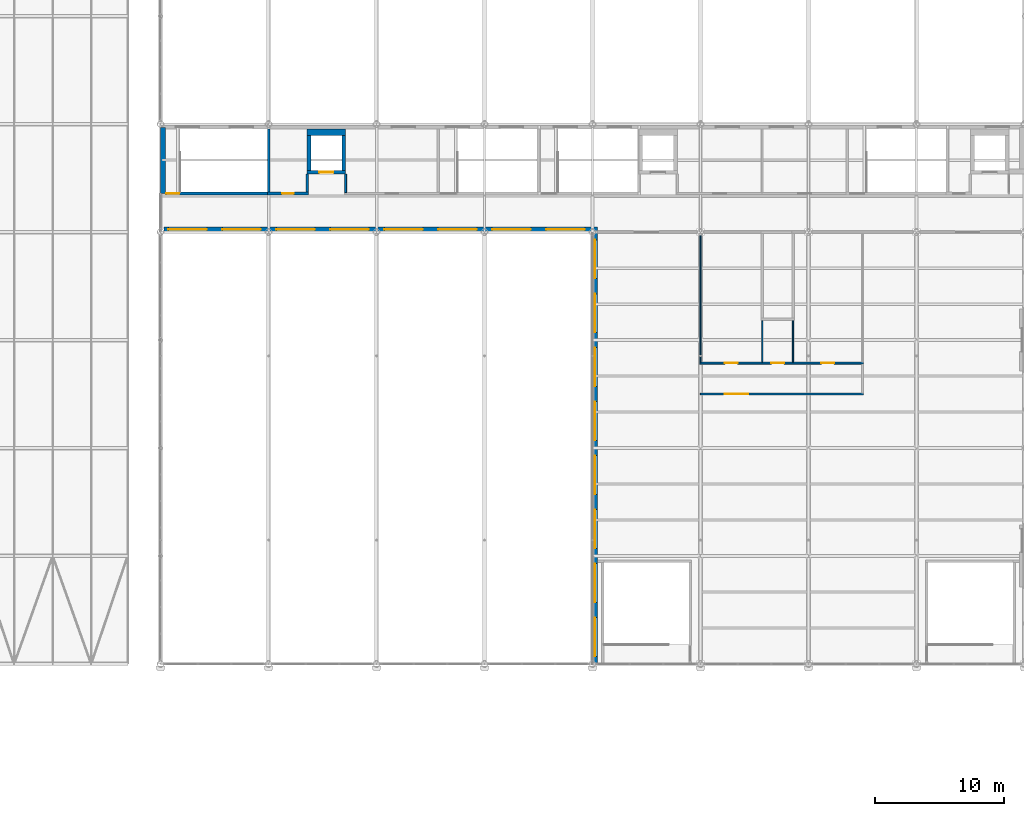
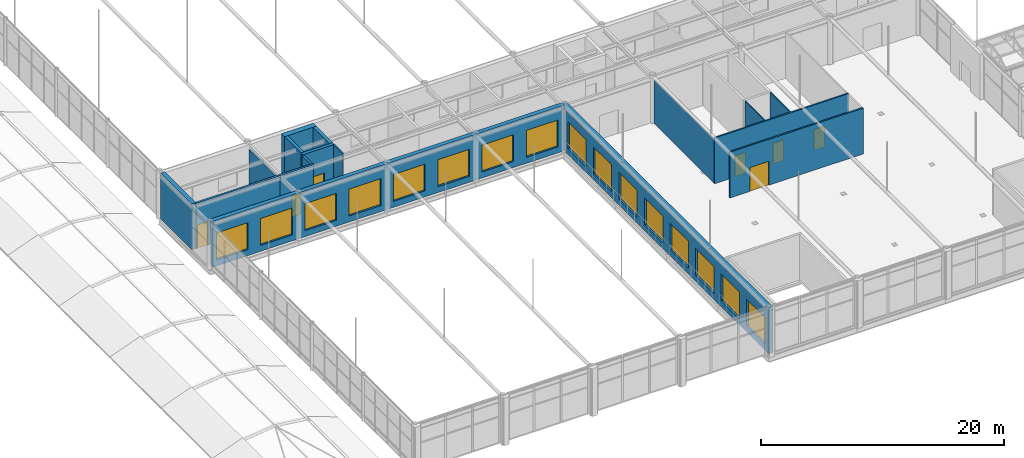
# One storey, part 151 of 167: 17 walls, 16 windows, 7 doors, 23 openings.
"""IFC4 building model written with IfcOpenShell, lengths in metres."""

from ifc_helpers import new_model, si_unit, direction, frame, frame_2d, origin, place, context, subcontext, project, spatial, rectangle, extrude, material, layer, layer_set, type_object, element, fill, save


model = new_model("IFC4")

# Units and contexts
model_context = context("Model", 3, precision=1e-05, world=origin(), true_north=direction((0.0, 1.0)))
body_context = subcontext(model_context, "Body", "Model", "MODEL_VIEW")
ifc_project = project(units=[si_unit("LENGTHUNIT", "METRE"), si_unit("AREAUNIT", "SQUARE_METRE"), si_unit("VOLUMEUNIT", "CUBIC_METRE"), si_unit("PLANEANGLEUNIT", "RADIAN"), si_unit("MASSUNIT", "GRAM", prefix="KILO")], contexts=[model_context])

# Site, building, storey
site_placement = place(None, origin())
site = spatial("IfcSite", under=ifc_project, at=site_placement, CompositionType="ELEMENT")
building_placement = place(site_placement, origin())
building = spatial("IfcBuilding", under=site, at=building_placement, Name="Catenary Quay Ferry Terminal", CompositionType="ELEMENT")
storey_placement = place(building_placement, frame((0.0, 0.0, 6.0)))
storey = spatial("IfcBuildingStorey", under=building, at=storey_placement, Name="L01", CompositionType="ELEMENT", Elevation=6.0)

# Wall, openings, windows
ifc_material_1 = material(Name="Masonry and insulation", Category="masonry")
ifc_layer_1 = layer(ifc_material_1, 0.39990234375)
ifc_layer_set_1 = layer_set([ifc_layer_1], Name="EW2")
wall_type_1 = type_object("IfcWallType", Name="EW2", PredefinedType="SOLIDWALL", material=ifc_layer_set_1)
wall_1_placement = place(storey_placement, frame((25.4541015625, 101.0, 0.0), z_axis=(0.0, 0.0, 1.0), x_axis=(1.0, 0.0, 0.0)))
wall_1 = element("IfcWall", 1, at=wall_1_placement, inside=storey, type_object=wall_type_1, Name="P23 wall WL178", PredefinedType="SOLIDWALL", context=body_context, shape_type="SweptSolid", body=[
    extrude(rectangle(XDim=33.345947265625, YDim=0.39990234375, at=frame_2d((16.6728515625, 0.0))), origin(), (0.0, 0.0, 1.0), 4.60009765625),
])
opening_1_placement = place(wall_1_placement, frame((0.345947265625, 0.0, 0.60009765625)))
opening_1 = element("IfcOpeningElement", 2, at=opening_1_placement, cuts=wall_1, Name="Opening W11", PredefinedType="OPENING", context=body_context, shape_type="SweptSolid", body=[
    extrude(rectangle(XDim=3.0, YDim=2.699951171875, at=frame_2d((1.5, 1.35009765625))), frame((0.0, 0.2099609375, 0.0), z_axis=(0.0, -1.0, 0.0), x_axis=(1.0, 0.0, 0.0)), (0.0, 0.0, 1.0), 0.419921875),
])
opening_2_placement = place(wall_1_placement, frame((4.5458984375, 0.0, 0.60009765625)))
opening_2 = element("IfcOpeningElement", 3, at=opening_2_placement, cuts=wall_1, Name="Opening W12", PredefinedType="OPENING", context=body_context, shape_type="SweptSolid", body=[
    extrude(rectangle(XDim=3.0, YDim=2.699951171875, at=frame_2d((1.5, 1.35009765625))), frame((0.0, 0.2099609375, 0.0), z_axis=(0.0, -1.0, 0.0), x_axis=(1.0, 0.0, 0.0)), (0.0, 0.0, 1.0), 0.419921875),
])
opening_3_placement = place(wall_1_placement, frame((8.74609375, 0.0, 0.60009765625)))
opening_3 = element("IfcOpeningElement", 4, at=opening_3_placement, cuts=wall_1, Name="Opening W13", PredefinedType="OPENING", context=body_context, shape_type="SweptSolid", body=[
    extrude(rectangle(XDim=3.0, YDim=2.699951171875, at=frame_2d((1.5, 1.35009765625))), frame((0.0, 0.2099609375, 0.0), z_axis=(0.0, -1.0, 0.0), x_axis=(1.0, 0.0, 0.0)), (0.0, 0.0, 1.0), 0.419921875),
])
opening_4_placement = place(wall_1_placement, frame((12.946044921875, 0.0, 0.60009765625)))
opening_4 = element("IfcOpeningElement", 5, at=opening_4_placement, cuts=wall_1, Name="Opening W14", PredefinedType="OPENING", context=body_context, shape_type="SweptSolid", body=[
    extrude(rectangle(XDim=3.0, YDim=2.699951171875, at=frame_2d((1.5, 1.35009765625))), frame((0.0, 0.2099609375, 0.0), z_axis=(0.0, -1.0, 0.0), x_axis=(1.0, 0.0, 0.0)), (0.0, 0.0, 1.0), 0.419921875),
])
opening_5_placement = place(wall_1_placement, frame((17.14599609375, 0.0, 0.60009765625)))
opening_5 = element("IfcOpeningElement", 6, at=opening_5_placement, cuts=wall_1, Name="Opening W15", PredefinedType="OPENING", context=body_context, shape_type="SweptSolid", body=[
    extrude(rectangle(XDim=3.0, YDim=2.699951171875, at=frame_2d((1.5, 1.35009765625))), frame((0.0, 0.2099609375, 0.0), z_axis=(0.0, -1.0, 0.0), x_axis=(1.0, 0.0, 0.0)), (0.0, 0.0, 1.0), 0.419921875),
])
opening_6_placement = place(wall_1_placement, frame((21.345947265625, 0.0, 0.60009765625)))
opening_6 = element("IfcOpeningElement", 7, at=opening_6_placement, cuts=wall_1, Name="Opening W16", PredefinedType="OPENING", context=body_context, shape_type="SweptSolid", body=[
    extrude(rectangle(XDim=3.0, YDim=2.699951171875, at=frame_2d((1.5, 1.35009765625))), frame((0.0, 0.2099609375, 0.0), z_axis=(0.0, -1.0, 0.0), x_axis=(1.0, 0.0, 0.0)), (0.0, 0.0, 1.0), 0.419921875),
])
opening_7_placement = place(wall_1_placement, frame((25.5458984375, 0.0, 0.60009765625)))
opening_7 = element("IfcOpeningElement", 8, at=opening_7_placement, cuts=wall_1, Name="Opening W17", PredefinedType="OPENING", context=body_context, shape_type="SweptSolid", body=[
    extrude(rectangle(XDim=3.0, YDim=2.699951171875, at=frame_2d((1.5, 1.35009765625))), frame((0.0, 0.2099609375, 0.0), z_axis=(0.0, -1.0, 0.0), x_axis=(1.0, 0.0, 0.0)), (0.0, 0.0, 1.0), 0.419921875),
])
opening_8_placement = place(wall_1_placement, frame((29.74609375, 0.0, 0.60009765625)))
opening_8 = element("IfcOpeningElement", 9, at=opening_8_placement, cuts=wall_1, Name="Opening W18", PredefinedType="OPENING", context=body_context, shape_type="SweptSolid", body=[
    extrude(rectangle(XDim=3.0, YDim=2.699951171875, at=frame_2d((1.5, 1.35009765625))), frame((0.0, 0.2099609375, 0.0), z_axis=(0.0, -1.0, 0.0), x_axis=(1.0, 0.0, 0.0)), (0.0, 0.0, 1.0), 0.419921875),
])
ifc_material_2 = material(Name="Aluminium and glass", Category="aluminium")
window_type = type_object("IfcWindowType", Name="WP1", PartitioningType="SINGLE_PANEL", PredefinedType="WINDOW", material=ifc_material_2)
window_1_placement = place(opening_1_placement, origin())
window_1 = element("IfcWindow", 10, at=window_1_placement, inside=storey, type_object=window_type, Name="P23 window W11", OverallHeight=2.699951171875, OverallWidth=3.0, PartitioningType="SINGLE_PANEL", PredefinedType="WINDOW", context=body_context, shape_type="SweptSolid", body=[
    extrude(rectangle(XDim=3.0, YDim=2.699951171875, at=frame_2d((1.5, 1.35009765625))), frame((0.0, 0.030029296875, 0.0), z_axis=(0.0, -1.0, 0.0), x_axis=(1.0, 0.0, 0.0)), (0.0, 0.0, 1.0), 0.06005859375),
])
fill(opening_1, window_1)
window_2_placement = place(opening_2_placement, origin())
window_2 = element("IfcWindow", 11, at=window_2_placement, inside=storey, type_object=window_type, Name="P23 window W12", OverallHeight=2.699951171875, OverallWidth=3.0, PartitioningType="SINGLE_PANEL", PredefinedType="WINDOW", context=body_context, shape_type="SweptSolid", body=[
    extrude(rectangle(XDim=3.0, YDim=2.699951171875, at=frame_2d((1.5, 1.35009765625))), frame((0.0, 0.030029296875, 0.0), z_axis=(0.0, -1.0, 0.0), x_axis=(1.0, 0.0, 0.0)), (0.0, 0.0, 1.0), 0.06005859375),
])
fill(opening_2, window_2)
window_3_placement = place(opening_3_placement, origin())
window_3 = element("IfcWindow", 12, at=window_3_placement, inside=storey, type_object=window_type, Name="P23 window W13", OverallHeight=2.699951171875, OverallWidth=3.0, PartitioningType="SINGLE_PANEL", PredefinedType="WINDOW", context=body_context, shape_type="SweptSolid", body=[
    extrude(rectangle(XDim=3.0, YDim=2.699951171875, at=frame_2d((1.5, 1.35009765625))), frame((0.0, 0.030029296875, 0.0), z_axis=(0.0, -1.0, 0.0), x_axis=(1.0, 0.0, 0.0)), (0.0, 0.0, 1.0), 0.06005859375),
])
fill(opening_3, window_3)
window_4_placement = place(opening_4_placement, origin())
window_4 = element("IfcWindow", 13, at=window_4_placement, inside=storey, type_object=window_type, Name="P23 window W14", OverallHeight=2.699951171875, OverallWidth=3.0, PartitioningType="SINGLE_PANEL", PredefinedType="WINDOW", context=body_context, shape_type="SweptSolid", body=[
    extrude(rectangle(XDim=3.0, YDim=2.699951171875, at=frame_2d((1.5, 1.35009765625))), frame((0.0, 0.030029296875, 0.0), z_axis=(0.0, -1.0, 0.0), x_axis=(1.0, 0.0, 0.0)), (0.0, 0.0, 1.0), 0.06005859375),
])
fill(opening_4, window_4)
window_5_placement = place(opening_5_placement, origin())
window_5 = element("IfcWindow", 14, at=window_5_placement, inside=storey, type_object=window_type, Name="P23 window W15", OverallHeight=2.699951171875, OverallWidth=3.0, PartitioningType="SINGLE_PANEL", PredefinedType="WINDOW", context=body_context, shape_type="SweptSolid", body=[
    extrude(rectangle(XDim=3.0, YDim=2.699951171875, at=frame_2d((1.5, 1.35009765625))), frame((0.0, 0.030029296875, 0.0), z_axis=(0.0, -1.0, 0.0), x_axis=(1.0, 0.0, 0.0)), (0.0, 0.0, 1.0), 0.06005859375),
])
fill(opening_5, window_5)
window_6_placement = place(opening_6_placement, origin())
window_6 = element("IfcWindow", 15, at=window_6_placement, inside=storey, type_object=window_type, Name="P23 window W16", OverallHeight=2.699951171875, OverallWidth=3.0, PartitioningType="SINGLE_PANEL", PredefinedType="WINDOW", context=body_context, shape_type="SweptSolid", body=[
    extrude(rectangle(XDim=3.0, YDim=2.699951171875, at=frame_2d((1.5, 1.35009765625))), frame((0.0, 0.030029296875, 0.0), z_axis=(0.0, -1.0, 0.0), x_axis=(1.0, 0.0, 0.0)), (0.0, 0.0, 1.0), 0.06005859375),
])
fill(opening_6, window_6)
window_7_placement = place(opening_7_placement, origin())
window_7 = element("IfcWindow", 16, at=window_7_placement, inside=storey, type_object=window_type, Name="P23 window W17", OverallHeight=2.699951171875, OverallWidth=3.0, PartitioningType="SINGLE_PANEL", PredefinedType="WINDOW", context=body_context, shape_type="SweptSolid", body=[
    extrude(rectangle(XDim=3.0, YDim=2.699951171875, at=frame_2d((1.5, 1.35009765625))), frame((0.0, 0.030029296875, 0.0), z_axis=(0.0, -1.0, 0.0), x_axis=(1.0, 0.0, 0.0)), (0.0, 0.0, 1.0), 0.06005859375),
])
fill(opening_7, window_7)
window_8_placement = place(opening_8_placement, origin())
window_8 = element("IfcWindow", 17, at=window_8_placement, inside=storey, type_object=window_type, Name="P23 window W18", OverallHeight=2.699951171875, OverallWidth=3.0, PartitioningType="SINGLE_PANEL", PredefinedType="WINDOW", context=body_context, shape_type="SweptSolid", body=[
    extrude(rectangle(XDim=3.0, YDim=2.699951171875, at=frame_2d((1.5, 1.35009765625))), frame((0.0, 0.030029296875, 0.0), z_axis=(0.0, -1.0, 0.0), x_axis=(1.0, 0.0, 0.0)), (0.0, 0.0, 1.0), 0.06005859375),
])
fill(opening_8, window_8)

wall_2_placement = place(storey_placement, frame((59.0, 67.199951171875, 0.0), z_axis=(0.0, 0.0, 1.0), x_axis=(0.0, 1.0, 0.0)))
wall_2 = element("IfcWall", 18, at=wall_2_placement, inside=storey, type_object=wall_type_1, Name="P32 wall WL187", PredefinedType="SOLIDWALL", context=body_context, shape_type="SweptSolid", body=[
    extrude(rectangle(XDim=34.0, YDim=0.39990234375, at=frame_2d((17.0, 0.0))), origin(), (0.0, 0.0, 1.0), 4.60009765625),
])
opening_9_placement = place(wall_2_placement, frame((0.60009765625, 0.0, 0.60009765625)))
opening_9 = element("IfcOpeningElement", 19, at=opening_9_placement, cuts=wall_2, Name="Opening W32", PredefinedType="OPENING", context=body_context, shape_type="SweptSolid", body=[
    extrude(rectangle(XDim=3.0, YDim=2.699951171875, at=frame_2d((1.5, 1.35009765625))), frame((0.0, 0.2099609375, 0.0), z_axis=(0.0, -1.0, 0.0), x_axis=(1.0, 0.0, 0.0)), (0.0, 0.0, 1.0), 0.419921875),
])
opening_10_placement = place(wall_2_placement, frame((4.800048828125, 0.0, 0.60009765625)))
opening_10 = element("IfcOpeningElement", 20, at=opening_10_placement, cuts=wall_2, Name="Opening W33", PredefinedType="OPENING", context=body_context, shape_type="SweptSolid", body=[
    extrude(rectangle(XDim=3.0, YDim=2.699951171875, at=frame_2d((1.5, 1.35009765625))), frame((0.0, 0.2099609375, 0.0), z_axis=(0.0, -1.0, 0.0), x_axis=(1.0, 0.0, 0.0)), (0.0, 0.0, 1.0), 0.419921875),
])
opening_11_placement = place(wall_2_placement, frame((9.0, 0.0, 0.60009765625)))
opening_11 = element("IfcOpeningElement", 21, at=opening_11_placement, cuts=wall_2, Name="Opening W34", PredefinedType="OPENING", context=body_context, shape_type="SweptSolid", body=[
    extrude(rectangle(XDim=3.0, YDim=2.699951171875, at=frame_2d((1.5, 1.35009765625))), frame((0.0, 0.2099609375, 0.0), z_axis=(0.0, -1.0, 0.0), x_axis=(1.0, 0.0, 0.0)), (0.0, 0.0, 1.0), 0.419921875),
])
opening_12_placement = place(wall_2_placement, frame((13.199951171875, 0.0, 0.60009765625)))
opening_12 = element("IfcOpeningElement", 22, at=opening_12_placement, cuts=wall_2, Name="Opening W35", PredefinedType="OPENING", context=body_context, shape_type="SweptSolid", body=[
    extrude(rectangle(XDim=3.0, YDim=2.699951171875, at=frame_2d((1.5, 1.35009765625))), frame((0.0, 0.2099609375, 0.0), z_axis=(0.0, -1.0, 0.0), x_axis=(1.0, 0.0, 0.0)), (0.0, 0.0, 1.0), 0.419921875),
])
opening_13_placement = place(wall_2_placement, frame((17.39990234375, 0.0, 0.60009765625)))
opening_13 = element("IfcOpeningElement", 23, at=opening_13_placement, cuts=wall_2, Name="Opening W36", PredefinedType="OPENING", context=body_context, shape_type="SweptSolid", body=[
    extrude(rectangle(XDim=3.0, YDim=2.699951171875, at=frame_2d((1.5, 1.35009765625))), frame((0.0, 0.2099609375, 0.0), z_axis=(0.0, -1.0, 0.0), x_axis=(1.0, 0.0, 0.0)), (0.0, 0.0, 1.0), 0.419921875),
])
opening_14_placement = place(wall_2_placement, frame((21.60009765625, 0.0, 0.60009765625)))
opening_14 = element("IfcOpeningElement", 24, at=opening_14_placement, cuts=wall_2, Name="Opening W37", PredefinedType="OPENING", context=body_context, shape_type="SweptSolid", body=[
    extrude(rectangle(XDim=3.0, YDim=2.699951171875, at=frame_2d((1.5, 1.35009765625))), frame((0.0, 0.2099609375, 0.0), z_axis=(0.0, -1.0, 0.0), x_axis=(1.0, 0.0, 0.0)), (0.0, 0.0, 1.0), 0.419921875),
])
opening_15_placement = place(wall_2_placement, frame((25.800048828125, 0.0, 0.60009765625)))
opening_15 = element("IfcOpeningElement", 25, at=opening_15_placement, cuts=wall_2, Name="Opening W38", PredefinedType="OPENING", context=body_context, shape_type="SweptSolid", body=[
    extrude(rectangle(XDim=3.0, YDim=2.699951171875, at=frame_2d((1.5, 1.35009765625))), frame((0.0, 0.2099609375, 0.0), z_axis=(0.0, -1.0, 0.0), x_axis=(1.0, 0.0, 0.0)), (0.0, 0.0, 1.0), 0.419921875),
])
opening_16_placement = place(wall_2_placement, frame((30.0, 0.0, 0.60009765625)))
opening_16 = element("IfcOpeningElement", 26, at=opening_16_placement, cuts=wall_2, Name="Opening W39", PredefinedType="OPENING", context=body_context, shape_type="SweptSolid", body=[
    extrude(rectangle(XDim=3.0, YDim=2.699951171875, at=frame_2d((1.5, 1.35009765625))), frame((0.0, 0.2099609375, 0.0), z_axis=(0.0, -1.0, 0.0), x_axis=(1.0, 0.0, 0.0)), (0.0, 0.0, 1.0), 0.419921875),
])
window_9_placement = place(opening_9_placement, origin())
window_9 = element("IfcWindow", 27, at=window_9_placement, inside=storey, type_object=window_type, Name="P32 window W32", OverallHeight=2.699951171875, OverallWidth=3.0, PartitioningType="SINGLE_PANEL", PredefinedType="WINDOW", context=body_context, shape_type="SweptSolid", body=[
    extrude(rectangle(XDim=3.0, YDim=2.699951171875, at=frame_2d((1.5, 1.35009765625))), frame((0.0, 0.030029296875, 0.0), z_axis=(0.0, -1.0, 0.0), x_axis=(1.0, 0.0, 0.0)), (0.0, 0.0, 1.0), 0.06005859375),
])
fill(opening_9, window_9)
window_10_placement = place(opening_10_placement, origin())
window_10 = element("IfcWindow", 28, at=window_10_placement, inside=storey, type_object=window_type, Name="P32 window W33", OverallHeight=2.699951171875, OverallWidth=3.0, PartitioningType="SINGLE_PANEL", PredefinedType="WINDOW", context=body_context, shape_type="SweptSolid", body=[
    extrude(rectangle(XDim=3.0, YDim=2.699951171875, at=frame_2d((1.5, 1.35009765625))), frame((0.0, 0.030029296875, 0.0), z_axis=(0.0, -1.0, 0.0), x_axis=(1.0, 0.0, 0.0)), (0.0, 0.0, 1.0), 0.06005859375),
])
fill(opening_10, window_10)
window_11_placement = place(opening_11_placement, origin())
window_11 = element("IfcWindow", 29, at=window_11_placement, inside=storey, type_object=window_type, Name="P32 window W34", OverallHeight=2.699951171875, OverallWidth=3.0, PartitioningType="SINGLE_PANEL", PredefinedType="WINDOW", context=body_context, shape_type="SweptSolid", body=[
    extrude(rectangle(XDim=3.0, YDim=2.699951171875, at=frame_2d((1.5, 1.35009765625))), frame((0.0, 0.030029296875, 0.0), z_axis=(0.0, -1.0, 0.0), x_axis=(1.0, 0.0, 0.0)), (0.0, 0.0, 1.0), 0.06005859375),
])
fill(opening_11, window_11)
window_12_placement = place(opening_12_placement, origin())
window_12 = element("IfcWindow", 30, at=window_12_placement, inside=storey, type_object=window_type, Name="P32 window W35", OverallHeight=2.699951171875, OverallWidth=3.0, PartitioningType="SINGLE_PANEL", PredefinedType="WINDOW", context=body_context, shape_type="SweptSolid", body=[
    extrude(rectangle(XDim=3.0, YDim=2.699951171875, at=frame_2d((1.5, 1.35009765625))), frame((0.0, 0.030029296875, 0.0), z_axis=(0.0, -1.0, 0.0), x_axis=(1.0, 0.0, 0.0)), (0.0, 0.0, 1.0), 0.06005859375),
])
fill(opening_12, window_12)
window_13_placement = place(opening_13_placement, origin())
window_13 = element("IfcWindow", 31, at=window_13_placement, inside=storey, type_object=window_type, Name="P32 window W36", OverallHeight=2.699951171875, OverallWidth=3.0, PartitioningType="SINGLE_PANEL", PredefinedType="WINDOW", context=body_context, shape_type="SweptSolid", body=[
    extrude(rectangle(XDim=3.0, YDim=2.699951171875, at=frame_2d((1.5, 1.35009765625))), frame((0.0, 0.030029296875, 0.0), z_axis=(0.0, -1.0, 0.0), x_axis=(1.0, 0.0, 0.0)), (0.0, 0.0, 1.0), 0.06005859375),
])
fill(opening_13, window_13)
window_14_placement = place(opening_14_placement, origin())
window_14 = element("IfcWindow", 32, at=window_14_placement, inside=storey, type_object=window_type, Name="P32 window W37", OverallHeight=2.699951171875, OverallWidth=3.0, PartitioningType="SINGLE_PANEL", PredefinedType="WINDOW", context=body_context, shape_type="SweptSolid", body=[
    extrude(rectangle(XDim=3.0, YDim=2.699951171875, at=frame_2d((1.5, 1.35009765625))), frame((0.0, 0.030029296875, 0.0), z_axis=(0.0, -1.0, 0.0), x_axis=(1.0, 0.0, 0.0)), (0.0, 0.0, 1.0), 0.06005859375),
])
fill(opening_14, window_14)
window_15_placement = place(opening_15_placement, origin())
window_15 = element("IfcWindow", 33, at=window_15_placement, inside=storey, type_object=window_type, Name="P32 window W38", OverallHeight=2.699951171875, OverallWidth=3.0, PartitioningType="SINGLE_PANEL", PredefinedType="WINDOW", context=body_context, shape_type="SweptSolid", body=[
    extrude(rectangle(XDim=3.0, YDim=2.699951171875, at=frame_2d((1.5, 1.35009765625))), frame((0.0, 0.030029296875, 0.0), z_axis=(0.0, -1.0, 0.0), x_axis=(1.0, 0.0, 0.0)), (0.0, 0.0, 1.0), 0.06005859375),
])
fill(opening_15, window_15)
window_16_placement = place(opening_16_placement, origin())
window_16 = element("IfcWindow", 34, at=window_16_placement, inside=storey, type_object=window_type, Name="P32 window W39", OverallHeight=2.699951171875, OverallWidth=3.0, PartitioningType="SINGLE_PANEL", PredefinedType="WINDOW", context=body_context, shape_type="SweptSolid", body=[
    extrude(rectangle(XDim=3.0, YDim=2.699951171875, at=frame_2d((1.5, 1.35009765625))), frame((0.0, 0.030029296875, 0.0), z_axis=(0.0, -1.0, 0.0), x_axis=(1.0, 0.0, 0.0)), (0.0, 0.0, 1.0), 0.06005859375),
])
fill(opening_16, window_16)

# Wall
wall_3_placement = place(storey_placement, frame((25.39990234375, 103.800048828125, 0.0), z_axis=(0.0, 0.0, 1.0), x_axis=(0.0, 1.0, 0.0)))
element("IfcWall", 35, at=wall_3_placement, inside=storey, type_object=wall_type_1, Name="P33 wall WL188", PredefinedType="SOLIDWALL", context=body_context, shape_type="SweptSolid", body=[
    extrude(rectangle(XDim=5.14599609375, YDim=0.39990234375, at=frame_2d((2.572998046875, 0.0))), origin(), (0.0, 0.0, 1.0), 4.60009765625),
])

# Wall, opening, door
ifc_material_3 = material(Name="Plasterboard on steel studs", Category="steel")
ifc_layer_2 = layer(ifc_material_3, 0.14990234375)
ifc_layer_set_2 = layer_set([ifc_layer_2], Name="IP3")
wall_type_2 = type_object("IfcWallType", Name="IP3", PredefinedType="PARTITIONING", material=ifc_layer_set_2)
wall_4_placement = place(storey_placement, frame((67.199951171875, 88.199951171875, 0.0), z_axis=(0.0, 0.0, 1.0), x_axis=(1.0, 0.0, 0.0)))
wall_4 = element("IfcWall", 36, at=wall_4_placement, inside=storey, type_object=wall_type_2, Name="Partition L01 7", PredefinedType="PARTITIONING", context=body_context, shape_type="SweptSolid", body=[
    extrude(rectangle(XDim=12.675048828125, YDim=0.14990234375, at=frame_2d((6.33740234375, 0.0))), origin(), (0.0, 0.0, 1.0), 4.60009765625),
])
opening_17_placement = place(wall_4_placement, frame((1.89990234375, 0.0, 0.0)))
opening_17 = element("IfcOpeningElement", 37, at=opening_17_placement, cuts=wall_4, Name="Opening D115", PredefinedType="OPENING", context=body_context, shape_type="SweptSolid", body=[
    extrude(rectangle(XDim=1.800048828125, YDim=2.39990234375, at=frame_2d((0.89990234375, 1.199951171875))), frame((0.0, 0.0849609375, 0.0), z_axis=(0.0, -1.0, 0.0), x_axis=(1.0, 0.0, 0.0)), (0.0, 0.0, 1.0), 0.169921875),
])
ifc_material_4 = material(Name="Aluminium and glass", Category="aluminium")
door_type_1 = type_object("IfcDoorType", Name="DI6", OperationType="DOUBLE_DOOR_SINGLE_SWING", PredefinedType="DOOR", material=ifc_material_4)
door_1_placement = place(opening_17_placement, origin())
door_1 = element("IfcDoor", 38, at=door_1_placement, inside=storey, type_object=door_type_1, Name="Mezzanine WC Lobby to Waiting Lounge East", OperationType="DOUBLE_DOOR_SINGLE_SWING", OverallHeight=2.39990234375, OverallWidth=1.800048828125, PredefinedType="DOOR", context=body_context, shape_type="SweptSolid", body=[
    extrude(rectangle(XDim=1.800048828125, YDim=2.39990234375, at=frame_2d((0.89990234375, 1.199951171875))), frame((0.0, 0.02490234375, 0.0), z_axis=(0.0, -1.0, 0.0), x_axis=(1.0, 0.0, 0.0)), (0.0, 0.0, 1.0), 0.050048828125),
])
fill(opening_17, door_1)

# Wall, openings, doors
wall_5_placement = place(storey_placement, frame((67.14990234375, 90.60009765625, 0.0), z_axis=(0.0, 0.0, 1.0), x_axis=(1.0, 0.0, 0.0)))
wall_5 = element("IfcWall", 39, at=wall_5_placement, inside=storey, type_object=wall_type_2, Name="Partition L01 9", PredefinedType="PARTITIONING", context=body_context, shape_type="SweptSolid", body=[
    extrude(rectangle(XDim=12.72509765625, YDim=0.14990234375, at=frame_2d((6.362548828125, 0.0))), origin(), (0.0, 0.0, 1.0), 4.60009765625),
])
opening_18_placement = place(wall_5_placement, frame((1.949951171875, 0.0, 0.0)))
opening_18 = element("IfcOpeningElement", 40, at=opening_18_placement, cuts=wall_5, Name="Opening D112", PredefinedType="OPENING", context=body_context, shape_type="SweptSolid", body=[
    extrude(rectangle(XDim=1.0, YDim=2.10009765625, at=frame_2d((0.5, 1.050048828125))), frame((0.0, 0.0849609375, 0.0), z_axis=(0.0, -1.0, 0.0), x_axis=(1.0, 0.0, 0.0)), (0.0, 0.0, 1.0), 0.169921875),
])
opening_19_placement = place(wall_5_placement, frame((5.550048828125, 0.0, 0.0)))
opening_19 = element("IfcOpeningElement", 41, at=opening_19_placement, cuts=wall_5, Name="Opening D113", PredefinedType="OPENING", context=body_context, shape_type="SweptSolid", body=[
    extrude(rectangle(XDim=1.0, YDim=2.10009765625, at=frame_2d((0.5, 1.050048828125))), frame((0.0, 0.0849609375, 0.0), z_axis=(0.0, -1.0, 0.0), x_axis=(1.0, 0.0, 0.0)), (0.0, 0.0, 1.0), 0.169921875),
])
opening_20_placement = place(wall_5_placement, frame((9.449951171875, 0.0, 0.0)))
opening_20 = element("IfcOpeningElement", 42, at=opening_20_placement, cuts=wall_5, Name="Opening D114", PredefinedType="OPENING", context=body_context, shape_type="SweptSolid", body=[
    extrude(rectangle(XDim=1.0, YDim=2.10009765625, at=frame_2d((0.5, 1.050048828125))), frame((0.0, 0.0849609375, 0.0), z_axis=(0.0, -1.0, 0.0), x_axis=(1.0, 0.0, 0.0)), (0.0, 0.0, 1.0), 0.169921875),
])
ifc_material_5 = material(Name="Timber", Category="wood")
door_type_2 = type_object("IfcDoorType", Name="DI8", OperationType="SINGLE_SWING_LEFT", PredefinedType="DOOR", material=ifc_material_5)
door_2_placement = place(opening_18_placement, origin())
door_2 = element("IfcDoor", 43, at=door_2_placement, inside=storey, type_object=door_type_2, Name="Mezzanine Women WC to Mezzanine WC Lobby", OperationType="SINGLE_SWING_LEFT", OverallHeight=2.10009765625, OverallWidth=1.0, PredefinedType="DOOR", context=body_context, shape_type="SweptSolid", body=[
    extrude(rectangle(XDim=1.0, YDim=2.10009765625, at=frame_2d((0.5, 1.050048828125))), frame((0.0, 0.02490234375, 0.0), z_axis=(0.0, -1.0, 0.0), x_axis=(1.0, 0.0, 0.0)), (0.0, 0.0, 1.0), 0.050048828125),
])
fill(opening_18, door_2)
door_3_placement = place(opening_19_placement, origin())
door_3 = element("IfcDoor", 44, at=door_3_placement, inside=storey, type_object=door_type_2, Name="Mezzanine Accessible WC to Mezzanine WC Lobby", OperationType="SINGLE_SWING_LEFT", OverallHeight=2.10009765625, OverallWidth=1.0, PredefinedType="DOOR", context=body_context, shape_type="SweptSolid", body=[
    extrude(rectangle(XDim=1.0, YDim=2.10009765625, at=frame_2d((0.5, 1.050048828125))), frame((0.0, 0.02490234375, 0.0), z_axis=(0.0, -1.0, 0.0), x_axis=(1.0, 0.0, 0.0)), (0.0, 0.0, 1.0), 0.050048828125),
])
fill(opening_19, door_3)
door_4_placement = place(opening_20_placement, origin())
door_4 = element("IfcDoor", 45, at=door_4_placement, inside=storey, type_object=door_type_2, Name="Mezzanine Men WC to Mezzanine WC Lobby", OperationType="SINGLE_SWING_LEFT", OverallHeight=2.10009765625, OverallWidth=1.0, PredefinedType="DOOR", context=body_context, shape_type="SweptSolid", body=[
    extrude(rectangle(XDim=1.0, YDim=2.10009765625, at=frame_2d((0.5, 1.050048828125))), frame((0.0, 0.02490234375, 0.0), z_axis=(0.0, -1.0, 0.0), x_axis=(1.0, 0.0, 0.0)), (0.0, 0.0, 1.0), 0.050048828125),
])
fill(opening_20, door_4)

# Wall
wall_6_placement = place(storey_placement, frame((39.60009765625, 103.875, 0.0), z_axis=(0.0, 0.0, 1.0), x_axis=(0.0, 1.0, 0.0)))
element("IfcWall", 46, at=wall_6_placement, inside=storey, type_object=wall_type_2, Name="Partition L01 63", PredefinedType="PARTITIONING", context=body_context, shape_type="SweptSolid", body=[
    extrude(rectangle(XDim=1.425048828125, YDim=0.14990234375, at=frame_2d((0.71240234375, 0.0))), origin(), (0.0, 0.0, 1.0), 4.60009765625),
])

# Wall, opening, door
ifc_material_6 = material(Name="Blockwork and plaster", Category="masonry")
ifc_layer_3 = layer(ifc_material_6, 0.199951171875)
ifc_layer_set_3 = layer_set([ifc_layer_3], Name="IP4")
wall_type_3 = type_object("IfcWallType", Name="IP4", PredefinedType="PARTITIONING", material=ifc_layer_set_3)
wall_7_placement = place(storey_placement, frame((25.60009765625, 103.800048828125, 0.0), z_axis=(0.0, 0.0, 1.0), x_axis=(1.0, 0.0, 0.0)))
wall_7 = element("IfcWall", 47, at=wall_7_placement, inside=storey, type_object=wall_type_3, Name="Partition L01 18", PredefinedType="PARTITIONING", context=body_context, shape_type="SweptSolid", body=[
    extrude(rectangle(XDim=8.099853515625, YDim=0.199951171875, at=frame_2d((4.0498046875, 0.0))), origin(), (0.0, 0.0, 1.0), 4.60009765625),
])
opening_21_placement = place(wall_7_placement, frame((0.054931640625, 0.0, 0.0)))
opening_21 = element("IfcOpeningElement", 48, at=opening_21_placement, cuts=wall_7, Name="Opening D103", PredefinedType="OPENING", context=body_context, shape_type="SweptSolid", body=[
    extrude(rectangle(XDim=1.0, YDim=2.39990234375, at=frame_2d((0.5, 1.199951171875))), frame((0.0, 0.10986328125, 0.0), z_axis=(0.0, -1.0, 0.0), x_axis=(1.0, 0.0, 0.0)), (0.0, 0.0, 1.0), 0.219970703125),
])
ifc_material_7 = material(Name="Steel", Category="steel")
door_type_3 = type_object("IfcDoorType", Name="DI13", OperationType="SINGLE_SWING_LEFT", PredefinedType="DOOR", material=ifc_material_7)
door_5_placement = place(opening_21_placement, origin())
door_5 = element("IfcDoor", 49, at=door_5_placement, inside=storey, type_object=door_type_3, Name="Stair TS1 to Operations Corridor", OperationType="SINGLE_SWING_LEFT", OverallHeight=2.39990234375, OverallWidth=1.0, PredefinedType="DOOR", context=body_context, shape_type="SweptSolid", body=[
    extrude(rectangle(XDim=1.0, YDim=2.39990234375, at=frame_2d((0.5, 1.199951171875))), frame((0.0, 0.02490234375, 0.0), z_axis=(0.0, -1.0, 0.0), x_axis=(1.0, 0.0, 0.0)), (0.0, 0.0, 1.0), 0.050048828125),
])
fill(opening_21, door_5)

# Wall
wall_8_placement = place(storey_placement, frame((33.60009765625, 103.89990234375, 0.0), z_axis=(0.0, 0.0, 1.0), x_axis=(0.0, 1.0, 0.0)))
element("IfcWall", 50, at=wall_8_placement, inside=storey, type_object=wall_type_3, Name="Partition L01 55", PredefinedType="PARTITIONING", context=body_context, shape_type="SweptSolid", body=[
    extrude(rectangle(XDim=4.900146484375, YDim=0.199951171875, at=frame_2d((2.4501953125, 0.0))), origin(), (0.0, 0.0, 1.0), 4.146240234375),
])

# Wall, opening, door
ifc_material_8 = material(Name="Blockwork and plaster", Category="masonry")
ifc_layer_4 = layer(ifc_material_8, 0.199951171875)
ifc_layer_set_4 = layer_set([ifc_layer_4], Name="IP6")
wall_type_4 = type_object("IfcWallType", Name="IP6", PredefinedType="PARTITIONING", material=ifc_layer_set_4)
wall_9_placement = place(storey_placement, frame((33.5, 103.800048828125, 0.0), z_axis=(0.0, 0.0, 1.0), x_axis=(1.0, 0.0, 0.0)))
wall_9 = element("IfcWall", 51, at=wall_9_placement, inside=storey, type_object=wall_type_4, Name="Partition L01 19", PredefinedType="PARTITIONING", context=body_context, shape_type="SweptSolid", body=[
    extrude(rectangle(XDim=3.199951171875, YDim=0.199951171875, at=frame_2d((1.60009765625, 0.0))), origin(), (0.0, 0.0, 1.0), 4.60009765625),
])
opening_22_placement = place(wall_9_placement, frame((1.14990234375, 0.0, 0.0)))
opening_22 = element("IfcOpeningElement", 52, at=opening_22_placement, cuts=wall_9, Name="Opening D104", PredefinedType="OPENING", context=body_context, shape_type="SweptSolid", body=[
    extrude(rectangle(XDim=0.89990234375, YDim=2.10009765625, at=frame_2d((0.449951171875, 1.050048828125))), frame((0.0, 0.10986328125, 0.0), z_axis=(0.0, -1.0, 0.0), x_axis=(1.0, 0.0, 0.0)), (0.0, 0.0, 1.0), 0.219970703125),
])
ifc_material_9 = material(Name="Steel", Category="steel")
door_type_4 = type_object("IfcDoorType", Name="DI9", OperationType="SINGLE_SWING_LEFT", PredefinedType="DOOR", material=ifc_material_9)
door_6_placement = place(opening_22_placement, origin())
door_6 = element("IfcDoor", 53, at=door_6_placement, inside=storey, type_object=door_type_4, Name="Terminal Riser Room to Operations Corridor", OperationType="SINGLE_SWING_LEFT", OverallHeight=2.10009765625, OverallWidth=0.89990234375, PredefinedType="DOOR", context=body_context, shape_type="SweptSolid", body=[
    extrude(rectangle(XDim=0.89990234375, YDim=2.10009765625, at=frame_2d((0.449951171875, 1.050048828125))), frame((0.0, 0.02490234375, 0.0), z_axis=(0.0, -1.0, 0.0), x_axis=(1.0, 0.0, 0.0)), (0.0, 0.0, 1.0), 0.050048828125),
])
fill(opening_22, door_6)

# Walls
wall_10_placement = place(storey_placement, frame((36.60009765625, 103.89990234375, 0.0), z_axis=(0.0, 0.0, 1.0), x_axis=(0.0, 1.0, 0.0)))
element("IfcWall", 54, at=wall_10_placement, inside=storey, type_object=wall_type_4, Name="Partition L01 58", PredefinedType="PARTITIONING", context=body_context, shape_type="SweptSolid", body=[
    extrude(rectangle(XDim=1.400146484375, YDim=0.199951171875, at=frame_2d((0.7001953125, 0.0))), origin(), (0.0, 0.0, 1.0), 4.60009765625),
])
ifc_material_10 = material(Name="Plasterboard on steel studs", Category="steel")
ifc_layer_5 = layer(ifc_material_10, 0.10009765625)
ifc_layer_set_5 = layer_set([ifc_layer_5], Name="IP8")
wall_type_5 = type_object("IfcWallType", Name="IP8", PredefinedType="PARTITIONING", material=ifc_layer_set_5)
wall_11_placement = place(storey_placement, frame((67.199951171875, 90.675048828125, 0.0), z_axis=(0.0, 0.0, 1.0), x_axis=(0.0, 1.0, 0.0)))
element("IfcWall", 55, at=wall_11_placement, inside=storey, type_object=wall_type_5, Name="Partition L01 84", PredefinedType="PARTITIONING", context=body_context, shape_type="SweptSolid", body=[
    extrude(rectangle(XDim=9.870849609375, YDim=0.10009765625, at=frame_2d((4.935546875, 0.0))), origin(), (0.0, 0.0, 1.0), 4.338134765625),
])
for number, where, z_axis, x_axis, name in (
    (56, (72.0, 90.675048828125, 0.0), (0.0, 0.0, 1.0), (0.0, 1.0, 0.0), "Partition L01 85"),
    (57, (74.39990234375, 90.675048828125, 0.0), (0.0, 0.0, 1.0), (0.0, 1.0, 0.0), "Partition L01 88"),
):
    element("IfcWall", number, at=place(storey_placement, frame(where, z_axis=z_axis, x_axis=x_axis)), inside=storey, type_object=wall_type_5, Name=name, PredefinedType="PARTITIONING", context=body_context, shape_type="SweptSolid", body=[
        extrude(rectangle(XDim=3.224853515625, YDim=0.10009765625, at=frame_2d((1.6123046875, 0.0))), origin(), (0.0, 0.0, 1.0), 4.60009765625),
    ])

# Wall, opening, door
ifc_material_11 = material(Name="Concrete C50/60", Category="concrete")
ifc_layer_6 = layer(ifc_material_11, 0.300048828125)
ifc_layer_set_6 = layer_set([ifc_layer_6], Name="Shaft wall 300")
wall_type_6 = type_object("IfcWallType", Name="Shaft wall 300", PredefinedType="SHEAR", material=ifc_layer_set_6)
wall_12_placement = place(storey_placement, frame((36.60009765625, 105.449951171875, 0.0), z_axis=(0.0, 0.0, 1.0), x_axis=(1.0, 0.0, 0.0)))
wall_12 = element("IfcWall", 58, at=wall_12_placement, inside=storey, type_object=wall_type_6, Name="Shaft wall TL1 S", PredefinedType="SHEAR", context=body_context, shape_type="SweptSolid", body=[
    extrude(rectangle(XDim=3.0, YDim=0.300048828125, at=frame_2d((1.5, 0.0))), origin(), (0.0, 0.0, 1.0), 4.64990234375),
])
opening_23_placement = place(wall_12_placement, frame((0.949951171875, 0.0, 0.0)))
opening_23 = element("IfcOpeningElement", 59, at=opening_23_placement, cuts=wall_12, Name="Opening LD36", PredefinedType="OPENING", context=body_context, shape_type="SweptSolid", body=[
    extrude(rectangle(XDim=1.10009765625, YDim=2.10009765625, at=frame_2d((0.550048828125, 1.050048828125))), frame((0.0, 0.159912109375, 0.0), z_axis=(0.0, -1.0, 0.0), x_axis=(1.0, 0.0, 0.0)), (0.0, 0.0, 1.0), 0.320068359375),
])
ifc_material_12 = material(Name="Stainless steel", Category="steel")
door_type_5 = type_object("IfcDoorType", Name="DL1", OperationType="SLIDING_TO_LEFT", PredefinedType="DOOR", material=ifc_material_12)
door_7_placement = place(opening_23_placement, origin())
door_7 = element("IfcDoor", 60, at=door_7_placement, inside=storey, type_object=door_type_5, Name="Lift TL1 landing door L01", OperationType="SLIDING_TO_LEFT", OverallHeight=2.10009765625, OverallWidth=1.10009765625, PredefinedType="DOOR", context=body_context, shape_type="SweptSolid", body=[
    extrude(rectangle(XDim=1.10009765625, YDim=2.10009765625, at=frame_2d((0.550048828125, 1.050048828125))), frame((0.0, 0.02490234375, 0.0), z_axis=(0.0, -1.0, 0.0), x_axis=(1.0, 0.0, 0.0)), (0.0, 0.0, 1.0), 0.050048828125),
])
fill(opening_23, door_7)

# Walls
for number, where, z_axis, x_axis, name in (
    (61, (39.449951171875, 105.60009765625, 0.0), (0.0, 0.0, 1.0), (0.0, 1.0, 0.0), "Shaft wall TL1 E"),
    (62, (36.75, 105.60009765625, 0.0), (0.0, 0.0, 1.0), (0.0, 1.0, 0.0), "Shaft wall TL1 W"),
):
    element("IfcWall", number, at=place(storey_placement, frame(where, z_axis=z_axis, x_axis=x_axis)), inside=storey, type_object=wall_type_6, Name=name, PredefinedType="SHEAR", context=body_context, shape_type="SweptSolid", body=[
        extrude(rectangle(XDim=2.699951171875, YDim=0.300048828125, at=frame_2d((1.35009765625, 0.0))), origin(), (0.0, 0.0, 1.0), 4.64990234375),
    ])
ifc_material_13 = material(Name="Concrete C50/60", Category="concrete")
ifc_layer_7 = layer(ifc_material_13, 0.5)
ifc_layer_set_7 = layer_set([ifc_layer_7], Name="Shaft wall 500")
wall_type_7 = type_object("IfcWallType", Name="Shaft wall 500", PredefinedType="SHEAR", material=ifc_layer_set_7)
wall_13_placement = place(storey_placement, frame((36.60009765625, 108.550048828125, 0.0), z_axis=(0.0, 0.0, 1.0), x_axis=(1.0, 0.0, 0.0)))
element("IfcWall", 63, at=wall_13_placement, inside=storey, type_object=wall_type_7, Name="Shaft wall TL1 N", PredefinedType="SHEAR", context=body_context, shape_type="SweptSolid", body=[
    extrude(rectangle(XDim=3.0, YDim=0.5, at=frame_2d((1.5, 0.0))), origin(), (0.0, 0.0, 1.0), 4.64990234375),
])

save(model, "model.ifc")
